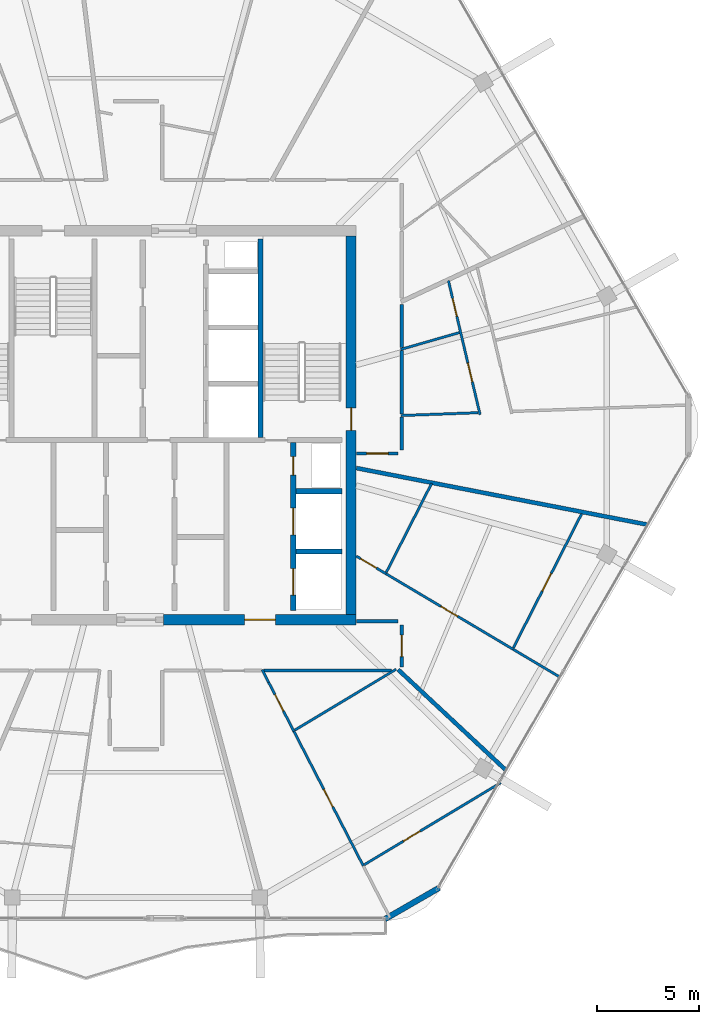
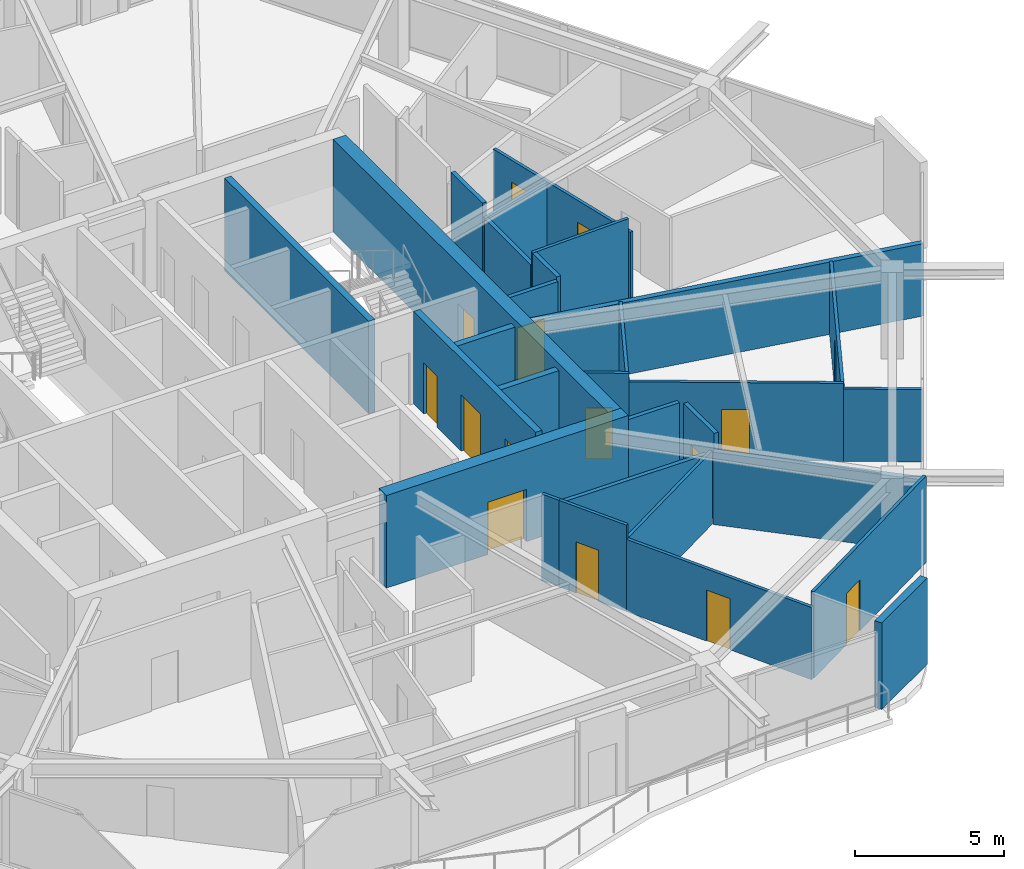
# One storey, part 17 of 21: 29 walls, 15 doors, 15 openings.
"""IFC4 building model written with IfcOpenShell, lengths in metres."""

from ifc_helpers import new_model, si_unit, direction, frame, frame_2d, origin, place, context, subcontext, project, spatial, rectangle, extrude, material, layer, layer_set, type_object, element, fill, save


model = new_model("IFC4")

# Units and contexts
model_context = context("Model", 3, precision=1e-05, world=origin(), true_north=direction((0.0, 1.0)))
body_context = subcontext(model_context, "Body", "Model", "MODEL_VIEW")
ifc_project = project(units=[si_unit("LENGTHUNIT", "METRE"), si_unit("AREAUNIT", "SQUARE_METRE"), si_unit("VOLUMEUNIT", "CUBIC_METRE"), si_unit("PLANEANGLEUNIT", "RADIAN"), si_unit("MASSUNIT", "GRAM", prefix="KILO")], contexts=[model_context])

# Site, building, storey
site_placement = place(None, origin())
site = spatial("IfcSite", under=ifc_project, at=site_placement, CompositionType="ELEMENT")
building_placement = place(site_placement, origin())
building = spatial("IfcBuilding", under=site, at=building_placement, Name="Zuhravey Tower", CompositionType="ELEMENT")
storey_placement = place(building_placement, frame((0.0, 0.0, 334.800048828125)))
storey = spatial("IfcBuildingStorey", under=building, at=storey_placement, Name="L85", CompositionType="ELEMENT", Elevation=334.800048828125)

# Wall, opening, door
ifc_material_1 = material(Name="Concrete C50/60", Category="concrete")
ifc_layer_1 = layer(ifc_material_1, 0.5)
ifc_layer_set_1 = layer_set([ifc_layer_1], Name="Concrete C50/60")
wall_type_1 = type_object("IfcWallType", Name="Core Shear Wall 500", PredefinedType="SHEAR", material=ifc_layer_set_1)
wall_1_placement = place(storey_placement, frame((37.35009765625, 22.5, 0.0), z_axis=(0.0, 0.0, 1.0), x_axis=(1.0, 0.0, 0.0)))
wall_1 = element("IfcWall", 1, at=wall_1_placement, inside=storey, type_object=wall_type_1, Name="L85 South-East Core Shear Wall CW50", PredefinedType="SHEAR", context=body_context, shape_type="SweptSolid", body=[
    extrude(rectangle(XDim=9.39990234375, YDim=0.5, at=frame_2d((4.699951171875, 0.0))), origin(), (0.0, 0.0, 1.0), 3.800048828125),
])
opening_1_placement = place(wall_1_placement, frame((3.949951171875, 0.0, 0.0)))
opening_1 = element("IfcOpeningElement", 2, at=opening_1_placement, cuts=wall_1, Name="Opening FFD1", PredefinedType="OPENING", context=body_context, shape_type="SweptSolid", body=[
    extrude(rectangle(XDim=1.5, YDim=2.14990234375, at=frame_2d((0.75, 1.074951171875))), frame((0.0, 0.261962890625, 0.0), z_axis=(0.0, -1.0, 0.0), x_axis=(1.0, 0.0, 0.0)), (0.0, 0.0, 1.0), 0.52392578125),
])
ifc_material_2 = material(Name="Galvanised fire-rated steel leaf", Category="steel")
door_type_1 = type_object("IfcDoorType", Name="Firefighting Lobby Double Door 1500x2150", OperationType="DOUBLE_DOOR_SINGLE_SWING", PredefinedType="DOOR", material=ifc_material_2)
door_1_placement = place(opening_1_placement, origin())
door_1 = element("IfcDoor", 3, at=door_1_placement, inside=storey, type_object=door_type_1, Name="L85 Firefighting Lobby East Door", OperationType="DOUBLE_DOOR_SINGLE_SWING", OverallHeight=2.14990234375, OverallWidth=1.5, PredefinedType="DOOR", context=body_context, shape_type="SweptSolid", body=[
    extrude(rectangle(XDim=1.5, YDim=2.14990234375, at=frame_2d((0.75, 1.074951171875))), frame((0.0, 0.02490234375, 0.0), z_axis=(0.0, -1.0, 0.0), x_axis=(1.0, 0.0, 0.0)), (0.0, 0.0, 1.0), 0.050048828125),
])
fill(opening_1, door_1)

wall_2_placement = place(storey_placement, frame((46.5, 22.75, 0.0), z_axis=(0.0, 0.0, 1.0), x_axis=(0.0, 1.0, 0.0)))
wall_2 = element("IfcWall", 4, at=wall_2_placement, inside=storey, type_object=wall_type_1, Name="L85 East Core Shear Wall CW50", PredefinedType="SHEAR", context=body_context, shape_type="SweptSolid", body=[
    extrude(rectangle(XDim=18.5, YDim=0.5, at=frame_2d((9.25, 0.0))), origin(), (0.0, 0.0, 1.0), 3.800048828125),
])
opening_2_placement = place(wall_2_placement, frame((9.0, 0.0, 0.0)))
opening_2 = element("IfcOpeningElement", 5, at=opening_2_placement, cuts=wall_2, Name="Opening STD1", PredefinedType="OPENING", context=body_context, shape_type="SweptSolid", body=[
    extrude(rectangle(XDim=1.10009765625, YDim=2.14990234375, at=frame_2d((0.550048828125, 1.074951171875))), frame((0.0, 0.261962890625, 0.0), z_axis=(0.0, -1.0, 0.0), x_axis=(1.0, 0.0, 0.0)), (0.0, 0.0, 1.0), 0.52392578125),
])
door_type_2 = type_object("IfcDoorType", Name="Protected Stair Fire Door 1100x2150", OperationType="NOTDEFINED", PredefinedType="USERDEFINED", material=ifc_material_2)
door_2_placement = place(opening_2_placement, origin())
door_2 = element("IfcDoor", 6, at=door_2_placement, inside=storey, type_object=door_type_2, Name="L85 Stair ST2 Door", ObjectType="EXITDOOR", OperationType="SINGLE_SWING_LEFT", OverallHeight=2.14990234375, OverallWidth=1.10009765625, PredefinedType="USERDEFINED", context=body_context, shape_type="SweptSolid", body=[
    extrude(rectangle(XDim=1.10009765625, YDim=2.14990234375, at=frame_2d((0.550048828125, 1.074951171875))), frame((0.0, 0.02490234375, 0.0), z_axis=(0.0, -1.0, 0.0), x_axis=(1.0, 0.0, 0.0)), (0.0, 0.0, 1.0), 0.050048828125),
])
fill(opening_2, door_2)

ifc_material_3 = material(Name="Gypsum fire-rated stud partition")
ifc_layer_2 = layer(ifc_material_3, 0.159912109375)
ifc_layer_set_2 = layer_set([ifc_layer_2], Name="Gypsum fire-rated stud partition")
wall_type_2 = type_object("IfcWallType", Name="Corridor Fire Partition 160", PredefinedType="PARTITIONING", material=ifc_layer_set_2)
wall_3_placement = place(storey_placement, frame((48.97998046875, 20.199951171875, 0.0), z_axis=(0.0, 0.0, 1.0), x_axis=(0.0, 1.0, 0.0)))
wall_3 = element("IfcWall", 7, at=wall_3_placement, inside=storey, type_object=wall_type_2, Name="L85 IW16 Partition 044", PredefinedType="PARTITIONING", context=body_context, shape_type="SweptSolid", body=[
    extrude(rectangle(XDim=2.050048828125, YDim=0.159912109375, at=frame_2d((1.02490234375, 0.0))), origin(), (0.0, 0.0, 1.0), 3.550048828125),
])
opening_3_placement = place(wall_3_placement, frame((0.5, 0.0, 0.0)))
opening_3 = element("IfcOpeningElement", 8, at=opening_3_placement, cuts=wall_3, Name="Opening APD1", PredefinedType="OPENING", context=body_context, shape_type="SweptSolid", body=[
    extrude(rectangle(XDim=1.050048828125, YDim=2.14990234375, at=frame_2d((0.52490234375, 1.074951171875))), frame((0.0, 0.092041015625, 0.0), z_axis=(0.0, -1.0, 0.0), x_axis=(1.0, 0.0, 0.0)), (0.0, 0.0, 1.0), 0.183837890625),
])
ifc_material_4 = material(Name="Solid-core oak fire-rated leaf")
door_type_3 = type_object("IfcDoorType", Name="Apartment Entrance Fire Door 1050x2150", OperationType="NOTDEFINED", PredefinedType="DOOR", material=ifc_material_4)
door_3_placement = place(opening_3_placement, frame((1.050048828125, 0.0, 0.0), z_axis=(0.0, 0.0, 1.0), x_axis=(-1.0, 0.0, 0.0)))
door_3 = element("IfcDoor", 9, at=door_3_placement, inside=storey, type_object=door_type_3, Name="L85 Door 044.1", OperationType="SINGLE_SWING_RIGHT", OverallHeight=2.14990234375, OverallWidth=1.050048828125, PredefinedType="DOOR", context=body_context, shape_type="SweptSolid", body=[
    extrude(rectangle(XDim=1.050048828125, YDim=2.14990234375, at=frame_2d((0.52490234375, 1.074951171875))), frame((0.0, 0.02490234375, 0.0), z_axis=(0.0, -1.0, 0.0), x_axis=(1.0, 0.0, 0.0)), (0.0, 0.0, 1.0), 0.050048828125),
])
fill(opening_3, door_3)

wall_4_placement = place(storey_placement, frame((46.77001953125, 30.6201171875, 0.0), z_axis=(0.0, 0.0, 1.0), x_axis=(1.0, 0.0, 0.0)))
wall_4 = element("IfcWall", 10, at=wall_4_placement, inside=storey, type_object=wall_type_2, Name="L85 IW16 Partition 047", PredefinedType="PARTITIONING", context=body_context, shape_type="SweptSolid", body=[
    extrude(rectangle(XDim=2.029296875, YDim=0.159912109375, at=frame_2d((1.0146484375, 0.0))), origin(), (0.0, 0.0, 1.0), 3.550048828125),
])
opening_4_placement = place(wall_4_placement, frame((0.489501953125, 0.0, 0.0)))
opening_4 = element("IfcOpeningElement", 11, at=opening_4_placement, cuts=wall_4, Name="Opening APD1", PredefinedType="OPENING", context=body_context, shape_type="SweptSolid", body=[
    extrude(rectangle(XDim=1.050048828125, YDim=2.14990234375, at=frame_2d((0.52490234375, 1.074951171875))), frame((0.0, 0.092041015625, 0.0), z_axis=(0.0, -1.0, 0.0), x_axis=(1.0, 0.0, 0.0)), (0.0, 0.0, 1.0), 0.183837890625),
])
door_4_placement = place(opening_4_placement, origin())
door_4 = element("IfcDoor", 12, at=door_4_placement, inside=storey, type_object=door_type_3, Name="L85 Door 047.1", OperationType="SINGLE_SWING_LEFT", OverallHeight=2.14990234375, OverallWidth=1.050048828125, PredefinedType="DOOR", context=body_context, shape_type="SweptSolid", body=[
    extrude(rectangle(XDim=1.050048828125, YDim=2.14990234375, at=frame_2d((0.52490234375, 1.074951171875))), frame((0.0, 0.02490234375, 0.0), z_axis=(0.0, -1.0, 0.0), x_axis=(1.0, 0.0, 0.0)), (0.0, 0.0, 1.0), 0.050048828125),
])
fill(opening_4, door_4)

# Walls
wall_5_placement = place(storey_placement, frame((42.254638671875, 20.02001953125, 0.0), z_axis=(0.0, 0.0, 1.0), x_axis=(1.0, 0.0, 0.0)))
element("IfcWall", 13, at=wall_5_placement, inside=storey, type_object=wall_type_2, Name="L85 IW16 Partition 116", PredefinedType="PARTITIONING", context=body_context, shape_type="SweptSolid", body=[
    extrude(rectangle(XDim=6.21337890625, YDim=0.159912109375, at=frame_2d((3.106689453125, 0.0))), origin(), (0.0, 0.0, 1.0), 3.0),
])
wall_6_placement = place(storey_placement, frame((48.800048828125, 22.429931640625, 0.0), z_axis=(0.0, 0.0, 1.0), x_axis=(-1.0, 0.0, 0.0)))
element("IfcWall", 14, at=wall_6_placement, inside=storey, type_object=wall_type_2, Name="L85 IW16 Partition 117", PredefinedType="PARTITIONING", context=body_context, shape_type="SweptSolid", body=[
    extrude(rectangle(XDim=2.030029296875, YDim=0.159912109375, at=frame_2d((1.01513671875, 0.0))), origin(), (0.0, 0.0, 1.0), 3.550048828125),
])
wall_7_placement = place(storey_placement, frame((48.97998046875, 30.80078125, 0.0), z_axis=(0.0, 0.0, 1.0), x_axis=(0.0, 1.0, 0.0)))
element("IfcWall", 15, at=wall_7_placement, inside=storey, type_object=wall_type_2, Name="L85 IW16 Partition 118", PredefinedType="PARTITIONING", context=body_context, shape_type="SweptSolid", body=[
    extrude(rectangle(XDim=1.607177734375, YDim=0.159912109375, at=frame_2d((0.8037109375, 0.0))), origin(), (0.0, 0.0, 1.0), 3.550048828125),
])
wall_8_placement = place(storey_placement, frame((48.97998046875, 32.5439453125, 0.0), z_axis=(0.0, 0.0, 1.0), x_axis=(0.0, 1.0, 0.0)))
element("IfcWall", 16, at=wall_8_placement, inside=storey, type_object=wall_type_2, Name="L85 IW16 Partition 119", PredefinedType="PARTITIONING", context=body_context, shape_type="SweptSolid", body=[
    extrude(rectangle(XDim=3.104248046875, YDim=0.159912109375, at=frame_2d((1.55224609375, 0.0))), origin(), (0.0, 0.0, 1.0), 3.0),
])
wall_9_placement = place(storey_placement, frame((48.97998046875, 35.789794921875, 0.0), z_axis=(0.0, 0.0, 1.0), x_axis=(0.0, 1.0, 0.0)))
element("IfcWall", 17, at=wall_9_placement, inside=storey, type_object=wall_type_2, Name="L85 IW16 Partition 120", PredefinedType="PARTITIONING", context=body_context, shape_type="SweptSolid", body=[
    extrude(rectangle(XDim=2.103515625, YDim=0.159912109375, at=frame_2d((1.0517578125, 0.0))), origin(), (0.0, 0.0, 1.0), 3.550048828125),
])
ifc_material_5 = material(Name="Precast concrete C40/50", Category="concrete")
ifc_layer_3 = layer(ifc_material_5, 0.280029296875)
ifc_layer_set_3 = layer_set([ifc_layer_3], Name="Precast concrete C40/50")
wall_type_3 = type_object("IfcWallType", Name="Crown Architectural Wall 280", PredefinedType="SOLIDWALL", material=ifc_layer_set_3)
wall_10_placement = place(storey_placement, frame((50.811279296875, 9.410888671875, 0.0), z_axis=(0.0, 0.0, 1.0), x_axis=(-0.866023752521, -0.50000286006, 0.0)))
element("IfcWall", 18, at=wall_10_placement, inside=storey, type_object=wall_type_3, Name="L85 Rounded Corner Closure Wall EW28-02", PredefinedType="SOLIDWALL", context=body_context, shape_type="SweptSolid", body=[
    extrude(rectangle(XDim=3.06494140625, YDim=0.280029296875, at=frame_2d((1.532470703125, 0.0))), origin(), (0.0, 0.0, 1.0), 3.550048828125),
])
ifc_layer_4 = layer(ifc_material_1, 0.25)
ifc_layer_set_4 = layer_set([ifc_layer_4], Name="Concrete C50/60")
wall_type_4 = type_object("IfcWallType", Name="Firefighting Shaft & Stair Wall 250", PredefinedType="SOLIDWALL", material=ifc_layer_set_4)
wall_11_placement = place(storey_placement, frame((42.074951171875, 31.39990234375, 0.0), z_axis=(0.0, 0.0, 1.0), x_axis=(0.0, 1.0, 0.0)))
element("IfcWall", 19, at=wall_11_placement, inside=storey, type_object=wall_type_4, Name="L85 FW25 Shaft Wall 006", PredefinedType="SOLIDWALL", context=body_context, shape_type="SweptSolid", body=[
    extrude(rectangle(XDim=9.7001953125, YDim=0.25, at=frame_2d((4.85009765625, 0.0))), origin(), (0.0, 0.0, 1.0), 3.800048828125),
])
for number, where, z_axis, x_axis, name in (
    (20, (43.800048828125, 25.824951171875, 0.0), (0.0, 0.0, 1.0), (1.0, 0.0, 0.0), "L85 FW25 Shaft Wall 018"),
    (21, (43.800048828125, 28.77490234375, 0.0), (0.0, 0.0, 1.0), (1.0, 0.0, 0.0), "L85 FW25 Shaft Wall 019"),
):
    element("IfcWall", number, at=place(storey_placement, frame(where, z_axis=z_axis, x_axis=x_axis)), inside=storey, type_object=wall_type_4, Name=name, PredefinedType="SOLIDWALL", context=body_context, shape_type="SweptSolid", body=[
        extrude(rectangle(XDim=2.25, YDim=0.25, at=frame_2d((1.125, 0.0))), origin(), (0.0, 0.0, 1.0), 3.800048828125),
    ])

# Wall, openings, doors
wall_12_placement = place(storey_placement, frame((43.675048828125, 22.949951171875, 0.0), z_axis=(0.0, 0.0, 1.0), x_axis=(0.0, 1.0, 0.0)))
wall_12 = element("IfcWall", 22, at=wall_12_placement, inside=storey, type_object=wall_type_4, Name="L85 FW25 Shaft Wall 020", PredefinedType="SOLIDWALL", context=body_context, shape_type="SweptSolid", body=[
    extrude(rectangle(XDim=8.199951171875, YDim=0.25, at=frame_2d((4.10009765625, 0.0))), origin(), (0.0, 0.0, 1.0), 3.800048828125),
])
opening_5_placement = place(wall_12_placement, frame((0.75, 0.0, 0.0)))
opening_5 = element("IfcOpeningElement", 23, at=opening_5_placement, cuts=wall_12, Name="Opening LD2", PredefinedType="OPENING", context=body_context, shape_type="SweptSolid", body=[
    extrude(rectangle(XDim=1.300048828125, YDim=2.300048828125, at=frame_2d((0.64990234375, 1.14990234375))), frame((0.0, 0.136962890625, 0.0), z_axis=(0.0, -1.0, 0.0), x_axis=(1.0, 0.0, 0.0)), (0.0, 0.0, 1.0), 0.27392578125),
])
opening_6_placement = place(wall_12_placement, frame((3.699951171875, 0.0, 0.0)))
opening_6 = element("IfcOpeningElement", 24, at=opening_6_placement, cuts=wall_12, Name="Opening LD2", PredefinedType="OPENING", context=body_context, shape_type="SweptSolid", body=[
    extrude(rectangle(XDim=1.300048828125, YDim=2.300048828125, at=frame_2d((0.64990234375, 1.14990234375))), frame((0.0, 0.136962890625, 0.0), z_axis=(0.0, -1.0, 0.0), x_axis=(1.0, 0.0, 0.0)), (0.0, 0.0, 1.0), 0.27392578125),
])
opening_7_placement = place(wall_12_placement, frame((6.6201171875, 0.0, 0.0)))
opening_7 = element("IfcOpeningElement", 25, at=opening_7_placement, cuts=wall_12, Name="Opening RSD1", PredefinedType="OPENING", context=body_context, shape_type="SweptSolid", body=[
    extrude(rectangle(XDim=0.89990234375, YDim=2.10009765625, at=frame_2d((0.449951171875, 1.050048828125))), frame((0.0, 0.136962890625, 0.0), z_axis=(0.0, -1.0, 0.0), x_axis=(1.0, 0.0, 0.0)), (0.0, 0.0, 1.0), 0.27392578125),
])
ifc_material_6 = material(Name="Brushed stainless steel", Category="steel")
door_type_4 = type_object("IfcDoorType", Name="Freight & Stretcher Lift Sliding Door 1300x2300", OperationType="DOUBLE_DOOR_SLIDING", PredefinedType="DOOR", material=ifc_material_6)
door_5_placement = place(opening_5_placement, origin())
door_5 = element("IfcDoor", 26, at=door_5_placement, inside=storey, type_object=door_type_4, Name="L85 Lift FF2 Landing Door", OperationType="DOUBLE_DOOR_SLIDING", OverallHeight=2.300048828125, OverallWidth=1.300048828125, PredefinedType="DOOR", context=body_context, shape_type="SweptSolid", body=[
    extrude(rectangle(XDim=1.300048828125, YDim=2.300048828125, at=frame_2d((0.64990234375, 1.14990234375))), frame((0.0, 0.02490234375, 0.0), z_axis=(0.0, -1.0, 0.0), x_axis=(1.0, 0.0, 0.0)), (0.0, 0.0, 1.0), 0.050048828125),
])
fill(opening_5, door_5)
door_6_placement = place(opening_6_placement, origin())
door_6 = element("IfcDoor", 27, at=door_6_placement, inside=storey, type_object=door_type_4, Name="L85 Lift SV1 Landing Door", OperationType="DOUBLE_DOOR_SLIDING", OverallHeight=2.300048828125, OverallWidth=1.300048828125, PredefinedType="DOOR", context=body_context, shape_type="SweptSolid", body=[
    extrude(rectangle(XDim=1.300048828125, YDim=2.300048828125, at=frame_2d((0.64990234375, 1.14990234375))), frame((0.0, 0.02490234375, 0.0), z_axis=(0.0, -1.0, 0.0), x_axis=(1.0, 0.0, 0.0)), (0.0, 0.0, 1.0), 0.050048828125),
])
fill(opening_6, door_6)
ifc_material_7 = material(Name="Galvanised fire-rated steel access leaf", Category="steel")
door_type_5 = type_object("IfcDoorType", Name="Riser & Shaft Access Fire Door 900x2100", OperationType="NOTDEFINED", PredefinedType="DOOR", material=ifc_material_7)
door_7_placement = place(opening_7_placement, origin())
door_7 = element("IfcDoor", 28, at=door_7_placement, inside=storey, type_object=door_type_5, Name="L85 Plumbing Riser Door", OperationType="SINGLE_SWING_LEFT", OverallHeight=2.10009765625, OverallWidth=0.89990234375, PredefinedType="DOOR", context=body_context, shape_type="SweptSolid", body=[
    extrude(rectangle(XDim=0.89990234375, YDim=2.10009765625, at=frame_2d((0.449951171875, 1.050048828125))), frame((0.0, 0.02490234375, 0.0), z_axis=(0.0, -1.0, 0.0), x_axis=(1.0, 0.0, 0.0)), (0.0, 0.0, 1.0), 0.050048828125),
])
fill(opening_7, door_7)

# Walls
ifc_material_8 = material(Name="Gypsum double-stud party assembly")
ifc_layer_5 = layer(ifc_material_8, 0.199951171875)
ifc_layer_set_5 = layer_set([ifc_layer_5], Name="Gypsum double-stud party assembly")
wall_type_5 = type_object("IfcWallType", Name="Inter-Tenancy Party Wall 200", PredefinedType="PARTITIONING", material=ifc_layer_set_5)
wall_13_placement = place(storey_placement, frame((48.803955078125, 20.060302734375, 0.0), z_axis=(0.0, 0.0, 1.0), x_axis=(0.731343856779, -0.682008917208, 0.0)))
element("IfcWall", 29, at=wall_13_placement, inside=storey, type_object=wall_type_5, Name="L85 IW20 Partition 083", PredefinedType="PARTITIONING", context=body_context, shape_type="SweptSolid", body=[
    extrude(rectangle(XDim=7.2001953125, YDim=0.199951171875, at=frame_2d((3.60009765625, 0.0))), origin(), (0.0, 0.0, 1.0), 2.969970703125),
])
wall_14_placement = place(storey_placement, frame((46.758056640625, 29.908935546875, 0.0), z_axis=(0.0, 0.0, 1.0), x_axis=(0.981626953462, -0.190810178544, 0.0)))
element("IfcWall", 30, at=wall_14_placement, inside=storey, type_object=wall_type_5, Name="L85 IW20 Partition 086", PredefinedType="PARTITIONING", context=body_context, shape_type="SweptSolid", body=[
    extrude(rectangle(XDim=14.501708984375, YDim=0.199951171875, at=frame_2d((7.2509765625, 0.0))), origin(), (0.0, 0.0, 1.0), 2.969970703125),
])

# Wall, opening, door
ifc_material_9 = material(Name="Gypsum metal-stud partition")
ifc_layer_6 = layer(ifc_material_9, 0.1201171875)
ifc_layer_set_6 = layer_set([ifc_layer_6], Name="Gypsum metal-stud partition")
wall_type_6 = type_object("IfcWallType", Name="Unit Internal Partition 120", PredefinedType="PARTITIONING", material=ifc_layer_set_6)
wall_15_placement = place(storey_placement, frame((42.471923828125, 19.449951171875, 0.0), z_axis=(0.0, 0.0, 1.0), x_axis=(0.458327108515, -0.888783585357, 0.0)))
wall_15 = element("IfcWall", 31, at=wall_15_placement, inside=storey, type_object=wall_type_6, Name="L85 IW12 Partition 037", PredefinedType="PARTITIONING", context=body_context, shape_type="SweptSolid", body=[
    extrude(rectangle(XDim=2.697998046875, YDim=0.1201171875, at=frame_2d((1.34912109375, 0.0))), origin(), (0.0, 0.0, 1.0), 3.550048828125),
])
opening_8_placement = place(wall_15_placement, frame((0.68310546875, 0.0, 0.0)))
opening_8 = element("IfcOpeningElement", 32, at=opening_8_placement, cuts=wall_15, Name="Opening WCD1", PredefinedType="OPENING", context=body_context, shape_type="SweptSolid", body=[
    extrude(rectangle(XDim=0.89990234375, YDim=2.10009765625, at=frame_2d((0.449951171875, 1.050048828125))), frame((0.0, 0.072021484375, 0.0), z_axis=(0.0, -1.0, 0.0), x_axis=(1.0, 0.0, 0.0)), (0.0, 0.0, 1.0), 0.14404296875),
])
ifc_material_10 = material(Name="Moisture-resistant timber leaf", Category="wood")
door_type_6 = type_object("IfcDoorType", Name="Bathroom & WC Internal Door 900x2100", OperationType="NOTDEFINED", PredefinedType="DOOR", material=ifc_material_10)
door_8_placement = place(opening_8_placement, origin())
door_8 = element("IfcDoor", 33, at=door_8_placement, inside=storey, type_object=door_type_6, Name="Apartment L85-05 Bathroom Door", OperationType="SINGLE_SWING_LEFT", OverallHeight=2.10009765625, OverallWidth=0.89990234375, PredefinedType="DOOR", context=body_context, shape_type="SweptSolid", body=[
    extrude(rectangle(XDim=0.89990234375, YDim=2.10009765625, at=frame_2d((0.449951171875, 1.050048828125))), frame((0.0, 0.02490234375, 0.0), z_axis=(0.0, -1.0, 0.0), x_axis=(1.0, 0.0, 0.0)), (0.0, 0.0, 1.0), 0.050048828125),
])
fill(opening_8, door_8)

wall_16_placement = place(storey_placement, frame((43.70849609375, 17.052001953125, 0.0), z_axis=(0.0, 0.0, 1.0), x_axis=(0.458373868426, -0.888759470692, 0.0)))
wall_16 = element("IfcWall", 34, at=wall_16_placement, inside=storey, type_object=wall_type_6, Name="L85 IW12 Partition 038", PredefinedType="PARTITIONING", context=body_context, shape_type="SweptSolid", body=[
    extrude(rectangle(XDim=7.39697265625, YDim=0.1201171875, at=frame_2d((3.698486328125, 0.0))), origin(), (0.0, 0.0, 1.0), 2.969970703125),
])
opening_9_placement = place(wall_16_placement, frame((3.198486328125, 0.0, 0.0)))
opening_9 = element("IfcOpeningElement", 35, at=opening_9_placement, cuts=wall_16, Name="Opening IND1", PredefinedType="OPENING", context=body_context, shape_type="SweptSolid", body=[
    extrude(rectangle(XDim=0.949951171875, YDim=2.10009765625, at=frame_2d((0.47509765625, 1.050048828125))), frame((0.0, 0.072021484375, 0.0), z_axis=(0.0, -1.0, 0.0), x_axis=(1.0, 0.0, 0.0)), (0.0, 0.0, 1.0), 0.14404296875),
])
ifc_material_11 = material(Name="Painted engineered timber leaf", Category="wood")
door_type_7 = type_object("IfcDoorType", Name="Internal Room & Bedroom Door 950x2100", OperationType="NOTDEFINED", PredefinedType="DOOR", material=ifc_material_11)
door_9_placement = place(opening_9_placement, origin())
door_9 = element("IfcDoor", 36, at=door_9_placement, inside=storey, type_object=door_type_7, Name="Apartment L85-05 Home Office Door", OperationType="SINGLE_SWING_RIGHT", OverallHeight=2.10009765625, OverallWidth=0.949951171875, PredefinedType="DOOR", context=body_context, shape_type="SweptSolid", body=[
    extrude(rectangle(XDim=0.949951171875, YDim=2.10009765625, at=frame_2d((0.47509765625, 1.050048828125))), frame((0.0, 0.02490234375, 0.0), z_axis=(0.0, -1.0, 0.0), x_axis=(1.0, 0.0, 0.0)), (0.0, 0.0, 1.0), 0.050048828125),
])
fill(opening_9, door_9)

wall_17_placement = place(storey_placement, frame((47.14599609375, 10.534912109375, 0.0), z_axis=(0.0, 0.0, 1.0), x_axis=(0.857151907368, 0.515063692853, 0.0)))
wall_17 = element("IfcWall", 37, at=wall_17_placement, inside=storey, type_object=wall_type_6, Name="L85 IW12 Partition 039", PredefinedType="PARTITIONING", context=body_context, shape_type="SweptSolid", body=[
    extrude(rectangle(XDim=7.774169921875, YDim=0.1201171875, at=frame_2d((3.88720703125, 0.0))), origin(), (0.0, 0.0, 1.0), 3.550048828125),
])
opening_10_placement = place(wall_17_placement, frame((2.227783203125, 0.0, 0.0)))
opening_10 = element("IfcOpeningElement", 38, at=opening_10_placement, cuts=wall_17, Name="Opening IND1", PredefinedType="OPENING", context=body_context, shape_type="SweptSolid", body=[
    extrude(rectangle(XDim=0.949951171875, YDim=2.10009765625, at=frame_2d((0.47509765625, 1.050048828125))), frame((0.0, 0.072021484375, 0.0), z_axis=(0.0, -1.0, 0.0), x_axis=(1.0, 0.0, 0.0)), (0.0, 0.0, 1.0), 0.14404296875),
])
door_10_placement = place(opening_10_placement, frame((0.949951171875, 0.0, 0.0), z_axis=(0.0, 0.0, 1.0), x_axis=(-1.0, 0.0, 0.0)))
door_10 = element("IfcDoor", 39, at=door_10_placement, inside=storey, type_object=door_type_7, Name="Apartment L85-05 Kitchen Door", OperationType="SINGLE_SWING_LEFT", OverallHeight=2.10009765625, OverallWidth=0.949951171875, PredefinedType="DOOR", context=body_context, shape_type="SweptSolid", body=[
    extrude(rectangle(XDim=0.949951171875, YDim=2.10009765625, at=frame_2d((0.47509765625, 1.050048828125))), frame((0.0, 0.02490234375, 0.0), z_axis=(0.0, -1.0, 0.0), x_axis=(1.0, 0.0, 0.0)), (0.0, 0.0, 1.0), 0.050048828125),
])
fill(opening_10, door_10)

wall_18_placement = place(storey_placement, frame((46.758056640625, 25.607421875, 0.0), z_axis=(0.0, 0.0, 1.0), x_axis=(0.859597506205, -0.51097174807, 0.0)))
wall_18 = element("IfcWall", 40, at=wall_18_placement, inside=storey, type_object=wall_type_6, Name="L85 IW12 Partition 041", PredefinedType="PARTITIONING", context=body_context, shape_type="SweptSolid", body=[
    extrude(rectangle(XDim=1.693359375, YDim=0.1201171875, at=frame_2d((0.8466796875, 0.0))), origin(), (0.0, 0.0, 1.0), 3.550048828125),
])
opening_11_placement = place(wall_18_placement, frame((0.239013671875, 0.0, 0.0)))
opening_11 = element("IfcOpeningElement", 41, at=opening_11_placement, cuts=wall_18, Name="Opening WCD1", PredefinedType="OPENING", context=body_context, shape_type="SweptSolid", body=[
    extrude(rectangle(XDim=0.89990234375, YDim=2.10009765625, at=frame_2d((0.449951171875, 1.050048828125))), frame((0.0, 0.072021484375, 0.0), z_axis=(0.0, -1.0, 0.0), x_axis=(1.0, 0.0, 0.0)), (0.0, 0.0, 1.0), 0.14404296875),
])
door_11_placement = place(opening_11_placement, origin())
door_11 = element("IfcDoor", 42, at=door_11_placement, inside=storey, type_object=door_type_6, Name="Apartment L85-06 Bathroom Door", OperationType="SINGLE_SWING_LEFT", OverallHeight=2.10009765625, OverallWidth=0.89990234375, PredefinedType="DOOR", context=body_context, shape_type="SweptSolid", body=[
    extrude(rectangle(XDim=0.89990234375, YDim=2.10009765625, at=frame_2d((0.449951171875, 1.050048828125))), frame((0.0, 0.02490234375, 0.0), z_axis=(0.0, -1.0, 0.0), x_axis=(1.0, 0.0, 0.0)), (0.0, 0.0, 1.0), 0.050048828125),
])
fill(opening_11, door_11)

wall_19_placement = place(storey_placement, frame((48.213623046875, 24.7421875, 0.0), z_axis=(0.0, 0.0, 1.0), x_axis=(0.859681622752, -0.510830213968, 0.0)))
wall_19 = element("IfcWall", 43, at=wall_19_placement, inside=storey, type_object=wall_type_6, Name="L85 IW12 Partition 042", PredefinedType="PARTITIONING", context=body_context, shape_type="SweptSolid", body=[
    extrude(rectangle(XDim=7.21826171875, YDim=0.1201171875, at=frame_2d((3.609130859375, 0.0))), origin(), (0.0, 0.0, 1.0), 3.199951171875),
])
opening_12_placement = place(wall_19_placement, frame((3.109130859375, 0.0, 0.0)))
opening_12 = element("IfcOpeningElement", 44, at=opening_12_placement, cuts=wall_19, Name="Opening IND1", PredefinedType="OPENING", context=body_context, shape_type="SweptSolid", body=[
    extrude(rectangle(XDim=0.949951171875, YDim=2.10009765625, at=frame_2d((0.47509765625, 1.050048828125))), frame((0.0, 0.072021484375, 0.0), z_axis=(0.0, -1.0, 0.0), x_axis=(1.0, 0.0, 0.0)), (0.0, 0.0, 1.0), 0.14404296875),
])
door_12_placement = place(opening_12_placement, origin())
door_12 = element("IfcDoor", 45, at=door_12_placement, inside=storey, type_object=door_type_7, Name="Apartment L85-06 Home Office Door", OperationType="SINGLE_SWING_RIGHT", OverallHeight=2.10009765625, OverallWidth=0.949951171875, PredefinedType="DOOR", context=body_context, shape_type="SweptSolid", body=[
    extrude(rectangle(XDim=0.949951171875, YDim=2.10009765625, at=frame_2d((0.47509765625, 1.050048828125))), frame((0.0, 0.02490234375, 0.0), z_axis=(0.0, -1.0, 0.0), x_axis=(1.0, 0.0, 0.0)), (0.0, 0.0, 1.0), 0.050048828125),
])
fill(opening_12, door_12)

wall_20_placement = place(storey_placement, frame((54.428466796875, 21.12841796875, 0.0), z_axis=(0.0, 0.0, 1.0), x_axis=(0.453980042954, 0.89101185211, 0.0)))
wall_20 = element("IfcWall", 46, at=wall_20_placement, inside=storey, type_object=wall_type_6, Name="L85 IW12 Partition 043", PredefinedType="PARTITIONING", context=body_context, shape_type="SweptSolid", body=[
    extrude(rectangle(XDim=7.3466796875, YDim=0.1201171875, at=frame_2d((3.67333984375, 0.0))), origin(), (0.0, 0.0, 1.0), 3.0),
])
opening_13_placement = place(wall_20_placement, frame((3.114013671875, 0.0, 0.0)))
opening_13 = element("IfcOpeningElement", 47, at=opening_13_placement, cuts=wall_20, Name="Opening IND1", PredefinedType="OPENING", context=body_context, shape_type="SweptSolid", body=[
    extrude(rectangle(XDim=0.949951171875, YDim=2.10009765625, at=frame_2d((0.47509765625, 1.050048828125))), frame((0.0, 0.072021484375, 0.0), z_axis=(0.0, -1.0, 0.0), x_axis=(1.0, 0.0, 0.0)), (0.0, 0.0, 1.0), 0.14404296875),
])
door_13_placement = place(opening_13_placement, frame((0.949951171875, 0.0, 0.0), z_axis=(0.0, 0.0, 1.0), x_axis=(-1.0, 0.0, 0.0)))
door_13 = element("IfcDoor", 48, at=door_13_placement, inside=storey, type_object=door_type_7, Name="Apartment L85-06 Kitchen Door", OperationType="SINGLE_SWING_LEFT", OverallHeight=2.10009765625, OverallWidth=0.949951171875, PredefinedType="DOOR", context=body_context, shape_type="SweptSolid", body=[
    extrude(rectangle(XDim=0.949951171875, YDim=2.10009765625, at=frame_2d((0.47509765625, 1.050048828125))), frame((0.0, 0.02490234375, 0.0), z_axis=(0.0, -1.0, 0.0), x_axis=(1.0, 0.0, 0.0)), (0.0, 0.0, 1.0), 0.050048828125),
])
fill(opening_13, door_13)

# Wall, openings, doors
wall_21_placement = place(storey_placement, frame((52.8037109375, 32.51611328125, 0.0), z_axis=(0.0, 0.0, 1.0), x_axis=(-0.230064826677, 0.97317530565, 0.0)))
wall_21 = element("IfcWall", 49, at=wall_21_placement, inside=storey, type_object=wall_type_6, Name="L85 IW12 Partition 045", PredefinedType="PARTITIONING", context=body_context, shape_type="SweptSolid", body=[
    extrude(rectangle(XDim=6.726806640625, YDim=0.1201171875, at=frame_2d((3.36328125, 0.0))), origin(), (0.0, 0.0, 1.0), 3.0),
])
opening_14_placement = place(wall_21_placement, frame((1.644287109375, 0.0, 0.0)))
opening_14 = element("IfcOpeningElement", 50, at=opening_14_placement, cuts=wall_21, Name="Opening IND1", PredefinedType="OPENING", context=body_context, shape_type="SweptSolid", body=[
    extrude(rectangle(XDim=0.949951171875, YDim=2.10009765625, at=frame_2d((0.47509765625, 1.050048828125))), frame((0.0, 0.072021484375, 0.0), z_axis=(0.0, -1.0, 0.0), x_axis=(1.0, 0.0, 0.0)), (0.0, 0.0, 1.0), 0.14404296875),
])
opening_15_placement = place(wall_21_placement, frame((4.930908203125, 0.0, 0.0)))
opening_15 = element("IfcOpeningElement", 51, at=opening_15_placement, cuts=wall_21, Name="Opening WCD1", PredefinedType="OPENING", context=body_context, shape_type="SweptSolid", body=[
    extrude(rectangle(XDim=0.89990234375, YDim=2.10009765625, at=frame_2d((0.449951171875, 1.050048828125))), frame((0.0, 0.072021484375, 0.0), z_axis=(0.0, -1.0, 0.0), x_axis=(1.0, 0.0, 0.0)), (0.0, 0.0, 1.0), 0.14404296875),
])
door_14_placement = place(opening_15_placement, origin())
door_14 = element("IfcDoor", 52, at=door_14_placement, inside=storey, type_object=door_type_6, Name="Apartment L85-07 Bathroom Door", OperationType="SINGLE_SWING_RIGHT", OverallHeight=2.10009765625, OverallWidth=0.89990234375, PredefinedType="DOOR", context=body_context, shape_type="SweptSolid", body=[
    extrude(rectangle(XDim=0.89990234375, YDim=2.10009765625, at=frame_2d((0.449951171875, 1.050048828125))), frame((0.0, 0.02490234375, 0.0), z_axis=(0.0, -1.0, 0.0), x_axis=(1.0, 0.0, 0.0)), (0.0, 0.0, 1.0), 0.050048828125),
])
fill(opening_15, door_14)
door_15_placement = place(opening_14_placement, origin())
door_15 = element("IfcDoor", 53, at=door_15_placement, inside=storey, type_object=door_type_7, Name="Apartment L85-07 Kitchen Door", OperationType="SINGLE_SWING_LEFT", OverallHeight=2.10009765625, OverallWidth=0.949951171875, PredefinedType="DOOR", context=body_context, shape_type="SweptSolid", body=[
    extrude(rectangle(XDim=0.949951171875, YDim=2.10009765625, at=frame_2d((0.47509765625, 1.050048828125))), frame((0.0, 0.02490234375, 0.0), z_axis=(0.0, -1.0, 0.0), x_axis=(1.0, 0.0, 0.0)), (0.0, 0.0, 1.0), 0.050048828125),
])
fill(opening_14, door_15)

# Walls
wall_22_placement = place(storey_placement, frame((42.15625, 20.062255859375, 0.0), z_axis=(0.0, 0.0, 1.0), x_axis=(0.458236639111, -0.888830232708, 0.0)))
element("IfcWall", 54, at=wall_22_placement, inside=storey, type_object=wall_type_6, Name="L85 IW12 Partition 080", PredefinedType="PARTITIONING", context=body_context, shape_type="SweptSolid", body=[
    extrude(rectangle(XDim=0.68896484375, YDim=0.1201171875, at=frame_2d((0.344482421875, 0.0))), origin(), (0.0, 0.0, 1.0), 3.550048828125),
])
wall_23_placement = place(storey_placement, frame((43.755615234375, 17.109375, 0.0), z_axis=(0.0, 0.0, 1.0), x_axis=(0.857171838157, 0.515030523242, 0.0)))
element("IfcWall", 55, at=wall_23_placement, inside=storey, type_object=wall_type_6, Name="L85 IW12 Partition 082", PredefinedType="PARTITIONING", context=body_context, shape_type="SweptSolid", body=[
    extrude(rectangle(XDim=5.772705078125, YDim=0.1201171875, at=frame_2d((2.88623046875, 0.0))), origin(), (0.0, 0.0, 1.0), 3.0),
])
wall_24_placement = place(storey_placement, frame((54.4189453125, 21.054931640625, 0.0), z_axis=(0.0, 0.0, 1.0), x_axis=(0.859699573503, -0.510800003249, 0.0)))
element("IfcWall", 56, at=wall_24_placement, inside=storey, type_object=wall_type_6, Name="L85 IW12 Partition 084", PredefinedType="PARTITIONING", context=body_context, shape_type="SweptSolid", body=[
    extrude(rectangle(XDim=2.655517578125, YDim=0.1201171875, at=frame_2d((1.32763671875, 0.0))), origin(), (0.0, 0.0, 1.0), 2.969970703125),
])
wall_25_placement = place(storey_placement, frame((48.22314453125, 24.81591796875, 0.0), z_axis=(0.0, 0.0, 1.0), x_axis=(0.453984233439, 0.891009717, 0.0)))
element("IfcWall", 57, at=wall_25_placement, inside=storey, type_object=wall_type_6, Name="L85 IW12 Partition 085", PredefinedType="PARTITIONING", context=body_context, shape_type="SweptSolid", body=[
    extrude(rectangle(XDim=4.88037109375, YDim=0.1201171875, at=frame_2d((2.440185546875, 0.0))), origin(), (0.0, 0.0, 1.0), 3.0),
])
wall_26_placement = place(storey_placement, frame((48.929931640625, 35.70458984375, 0.0), z_axis=(0.0, 0.0, 1.0), x_axis=(0.961309739991, 0.275469751149, 0.0)))
element("IfcWall", 58, at=wall_26_placement, inside=storey, type_object=wall_type_6, Name="L85 IW12 Partition 087", PredefinedType="PARTITIONING", context=body_context, shape_type="SweptSolid", body=[
    extrude(rectangle(XDim=2.9716796875, YDim=0.1201171875, at=frame_2d((1.48583984375, 0.0))), origin(), (0.0, 0.0, 1.0), 3.0),
])
wall_27_placement = place(storey_placement, frame((48.93017578125, 32.47412109375, 0.0), z_axis=(0.0, 0.0, 1.0), x_axis=(0.999328029443, 0.036653643337, 0.0)))
element("IfcWall", 59, at=wall_27_placement, inside=storey, type_object=wall_type_6, Name="L85 IW12 Partition 089", PredefinedType="PARTITIONING", context=body_context, shape_type="SweptSolid", body=[
    extrude(rectangle(XDim=3.783203125, YDim=0.1201171875, at=frame_2d((1.8916015625, 0.0))), origin(), (0.0, 0.0, 1.0), 3.550048828125),
])

save(model, "model.ifc")
